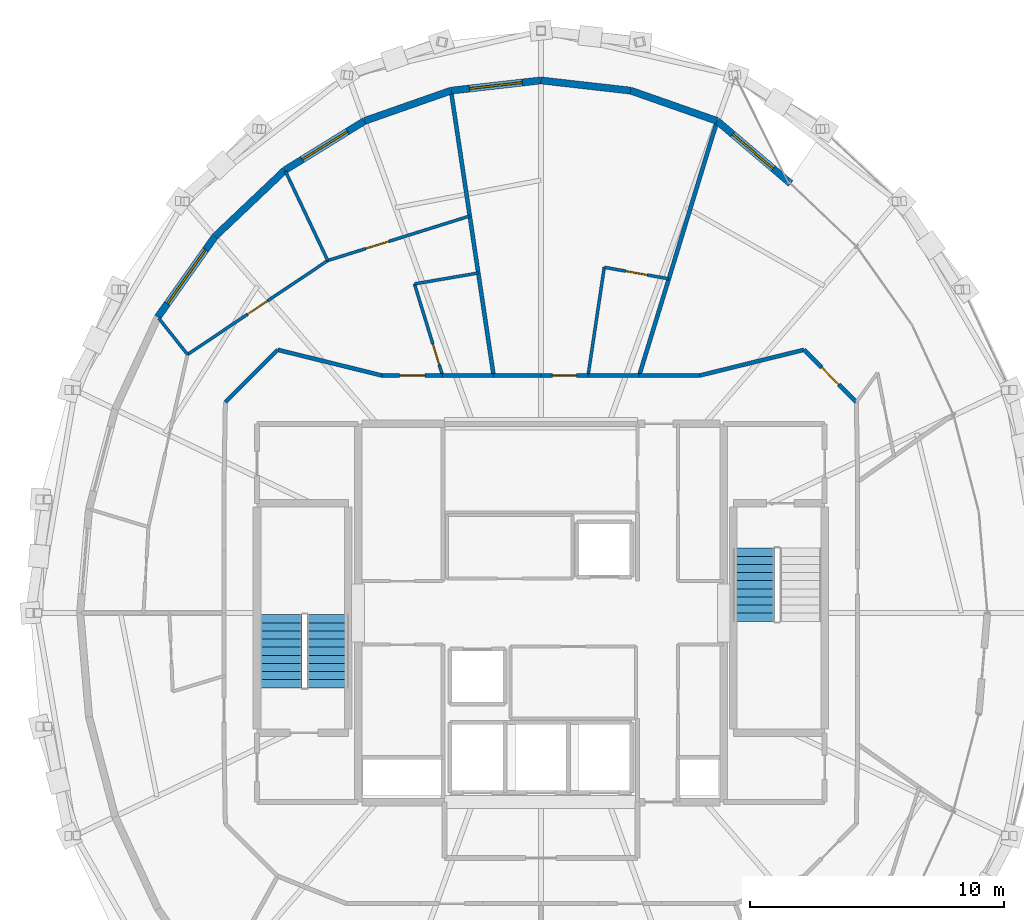
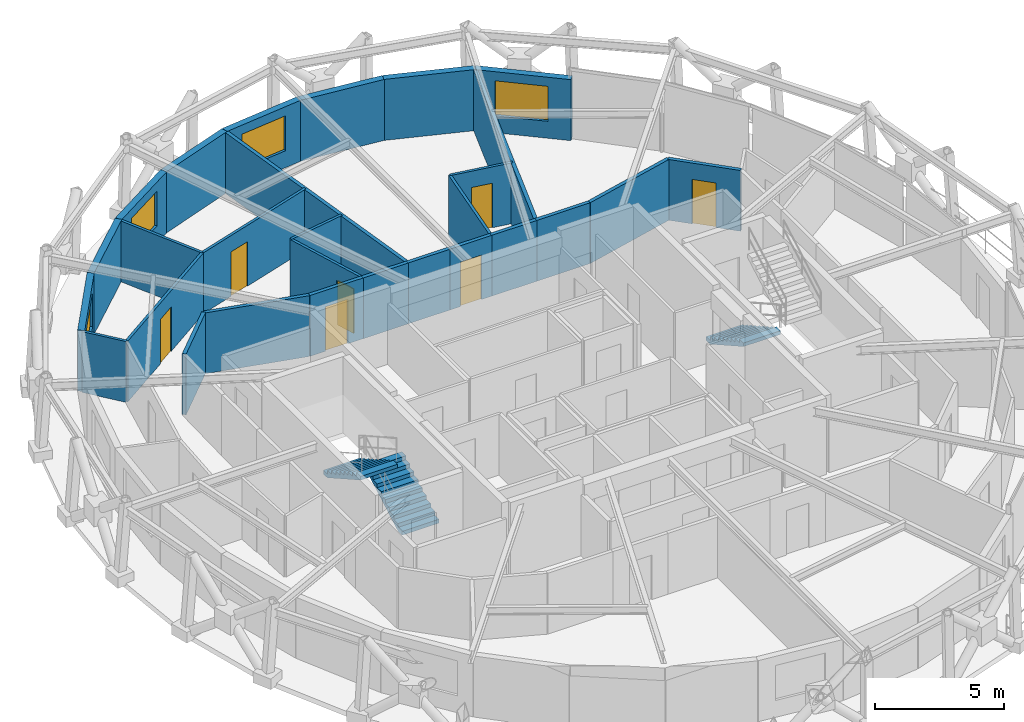
# One storey, part 15 of 17: 28 walls, 7 doors, 4 windows, 3 stair flights, 11 openings, 2 elements without a shape of their own.
"""IFC4 building model written with IfcOpenShell, lengths in metres."""

from ifc_helpers import new_model, si_unit, direction, frame, frame_2d, origin, place, context, subcontext, project, spatial, polyline, rectangle, outline, extrude, material, layer, layer_set, type_object, element, fill, aggregate, save


model = new_model("IFC4")

# Units and contexts
model_context = context("Model", 3, precision=1e-05, world=origin(), true_north=direction((0.0, 1.0)))
body_context = subcontext(model_context, "Body", "Model", "MODEL_VIEW")
ifc_project = project(units=[si_unit("LENGTHUNIT", "METRE"), si_unit("AREAUNIT", "SQUARE_METRE"), si_unit("VOLUMEUNIT", "CUBIC_METRE"), si_unit("PLANEANGLEUNIT", "RADIAN"), si_unit("MASSUNIT", "GRAM", prefix="KILO")], contexts=[model_context])

# Site, building, storey
site_placement = place(None, origin())
site = spatial("IfcSite", under=ifc_project, at=site_placement, CompositionType="ELEMENT")
building_placement = place(site_placement, origin())
building = spatial("IfcBuilding", under=site, at=building_placement, Name="Veldorina Hangang Commons", CompositionType="ELEMENT")
storey_placement = place(building_placement, frame((0.0, 0.0, 286.800048828125)))
storey = spatial("IfcBuildingStorey", under=building, at=storey_placement, Name="L75", CompositionType="ELEMENT", Elevation=286.800048828125)

# Wall, opening, window
ifc_material_1 = material(Name="Stone Roman Travertine", Category="masonry")
ifc_layer_1 = layer(ifc_material_1, 0.280029296875)
ifc_layer_set_1 = layer_set([ifc_layer_1], Name="Stone Roman Travertine")
wall_type_1 = type_object("IfcWallType", Name="EW-TRAV-280", PredefinedType="STANDARD", material=ifc_layer_set_1)
wall_1_placement = place(storey_placement, frame((41.84033203125, 40.916015625, 0.0), z_axis=(0.0, 0.0, 1.0), x_axis=(-0.7617032154, 0.64792608502, 0.0)))
wall_1 = element("IfcWall", 1, at=wall_1_placement, inside=storey, type_object=wall_type_1, Name="L75 travertine facade wall 05", PredefinedType="STANDARD", context=body_context, shape_type="SweptSolid", body=[
    extrude(rectangle(XDim=3.80224609375, YDim=0.280029296875, at=frame_2d((1.901123046875, 0.0))), origin(), (0.0, 0.0, 1.0), 2.8798828125),
])
opening_1_placement = place(wall_1_placement, frame((0.897216796875, 0.0, 0.800048828125)))
opening_1 = element("IfcOpeningElement", 2, at=opening_1_placement, cuts=wall_1, Name="Opening W-03", PredefinedType="OPENING", context=body_context, shape_type="SweptSolid", body=[
    extrude(rectangle(XDim=2.10009765625, YDim=1.64990234375, at=frame_2d((1.050048828125, 0.824951171875))), frame((0.0, 0.14990234375, 0.0), z_axis=(0.0, -1.0, 0.0), x_axis=(1.0, 0.0, 0.0)), (0.0, 0.0, 1.0), 0.300048828125),
])
ifc_material_2 = material(Name="Glass Low-E Triple IGU", Category="glass")
window_type_1 = type_object("IfcWindowType", Name="WIN-TWR-2100", PartitioningType="SINGLE_PANEL", PredefinedType="WINDOW", material=ifc_material_2)
window_1_placement = place(opening_1_placement, origin())
window_1 = element("IfcWindow", 3, at=window_1_placement, inside=storey, type_object=window_type_1, Name="L75 facade window 05", OverallHeight=1.64990234375, OverallWidth=2.10009765625, PartitioningType="SINGLE_PANEL", PredefinedType="WINDOW", context=body_context, shape_type="SweptSolid", body=[
    extrude(rectangle(XDim=2.10009765625, YDim=1.64990234375, at=frame_2d((1.050048828125, 0.824951171875))), frame((0.0, 0.030029296875, 0.0), z_axis=(0.0, -1.0, 0.0), x_axis=(1.0, 0.0, 0.0)), (0.0, 0.0, 1.0), 0.06005859375),
])
fill(opening_1, window_1)

# Walls
wall_2_placement = place(storey_placement, frame((38.944091796875, 43.379638671875, 0.0), z_axis=(0.0, 0.0, 1.0), x_axis=(-0.94366932977, 0.33089000597, 0.0)))
element("IfcWall", 4, at=wall_2_placement, inside=storey, type_object=wall_type_1, Name="L75 travertine facade wall 06", PredefinedType="STANDARD", context=body_context, shape_type="SweptSolid", body=[
    extrude(rectangle(XDim=3.607177734375, YDim=0.280029296875, at=frame_2d((1.8037109375, 0.0))), origin(), (0.0, 0.0, 1.0), 2.8798828125),
])
wall_3_placement = place(storey_placement, frame((35.5400390625, 44.5732421875, 0.0), z_axis=(0.0, 0.0, 1.0), x_axis=(-0.993580071332, 0.113131082605, 0.0)))
element("IfcWall", 5, at=wall_3_placement, inside=storey, type_object=wall_type_1, Name="L75 travertine facade wall 07", PredefinedType="STANDARD", context=body_context, shape_type="SweptSolid", body=[
    extrude(rectangle(XDim=3.56298828125, YDim=0.280029296875, at=frame_2d((1.781494140625, 0.0))), origin(), (0.0, 0.0, 1.0), 2.8798828125),
])

# Wall, opening, window
wall_4_placement = place(storey_placement, frame((32.0, 44.976318359375, 0.0), z_axis=(0.0, 0.0, 1.0), x_axis=(-0.993580071332, -0.113131082605, 0.0)))
wall_4 = element("IfcWall", 6, at=wall_4_placement, inside=storey, type_object=wall_type_1, Name="L75 travertine facade wall 08", PredefinedType="STANDARD", context=body_context, shape_type="SweptSolid", body=[
    extrude(rectangle(XDim=3.56298828125, YDim=0.280029296875, at=frame_2d((1.781494140625, 0.0))), origin(), (0.0, 0.0, 1.0), 2.8798828125),
])
opening_2_placement = place(wall_4_placement, frame((0.7314453125, 0.0, 0.800048828125)))
opening_2 = element("IfcOpeningElement", 7, at=opening_2_placement, cuts=wall_4, Name="Opening W-03", PredefinedType="OPENING", context=body_context, shape_type="SweptSolid", body=[
    extrude(rectangle(XDim=2.10009765625, YDim=1.64990234375, at=frame_2d((1.050048828125, 0.824951171875))), frame((0.0, 0.14990234375, 0.0), z_axis=(0.0, -1.0, 0.0), x_axis=(1.0, 0.0, 0.0)), (0.0, 0.0, 1.0), 0.300048828125),
])
window_2_placement = place(opening_2_placement, origin())
window_2 = element("IfcWindow", 8, at=window_2_placement, inside=storey, type_object=window_type_1, Name="L75 facade window 08", OverallHeight=1.64990234375, OverallWidth=2.10009765625, PartitioningType="SINGLE_PANEL", PredefinedType="WINDOW", context=body_context, shape_type="SweptSolid", body=[
    extrude(rectangle(XDim=2.10009765625, YDim=1.64990234375, at=frame_2d((1.050048828125, 0.824951171875))), frame((0.0, 0.030029296875, 0.0), z_axis=(0.0, -1.0, 0.0), x_axis=(1.0, 0.0, 0.0)), (0.0, 0.0, 1.0), 0.06005859375),
])
fill(opening_2, window_2)

# Wall
wall_5_placement = place(storey_placement, frame((28.4599609375, 44.5732421875, 0.0), z_axis=(0.0, 0.0, 1.0), x_axis=(-0.94366932977, -0.33089000597, 0.0)))
element("IfcWall", 9, at=wall_5_placement, inside=storey, type_object=wall_type_1, Name="L75 travertine facade wall 09", PredefinedType="STANDARD", context=body_context, shape_type="SweptSolid", body=[
    extrude(rectangle(XDim=3.607177734375, YDim=0.280029296875, at=frame_2d((1.8037109375, 0.0))), origin(), (0.0, 0.0, 1.0), 2.8798828125),
])

# Wall, opening, window
wall_6_placement = place(storey_placement, frame((25.055908203125, 43.379638671875, 0.0), z_axis=(0.0, 0.0, 1.0), x_axis=(-0.850702223814, -0.525647911057, 0.0)))
wall_6 = element("IfcWall", 10, at=wall_6_placement, inside=storey, type_object=wall_type_1, Name="L75 travertine facade wall 10", PredefinedType="STANDARD", context=body_context, shape_type="SweptSolid", body=[
    extrude(rectangle(XDim=3.687744140625, YDim=0.280029296875, at=frame_2d((1.84375, 0.0))), origin(), (0.0, 0.0, 1.0), 2.8798828125),
])
opening_3_placement = place(wall_6_placement, frame((0.7939453125, 0.0, 0.800048828125)))
opening_3 = element("IfcOpeningElement", 11, at=opening_3_placement, cuts=wall_6, Name="Opening W-03", PredefinedType="OPENING", context=body_context, shape_type="SweptSolid", body=[
    extrude(rectangle(XDim=2.10009765625, YDim=1.64990234375, at=frame_2d((1.050048828125, 0.824951171875))), frame((0.0, 0.14990234375, 0.0), z_axis=(0.0, -1.0, 0.0), x_axis=(1.0, 0.0, 0.0)), (0.0, 0.0, 1.0), 0.300048828125),
])
window_3_placement = place(opening_3_placement, origin())
window_3 = element("IfcWindow", 12, at=window_3_placement, inside=storey, type_object=window_type_1, Name="L75 facade window 10", OverallHeight=1.64990234375, OverallWidth=2.10009765625, PartitioningType="SINGLE_PANEL", PredefinedType="WINDOW", context=body_context, shape_type="SweptSolid", body=[
    extrude(rectangle(XDim=2.10009765625, YDim=1.64990234375, at=frame_2d((1.050048828125, 0.824951171875))), frame((0.0, 0.030029296875, 0.0), z_axis=(0.0, -1.0, 0.0), x_axis=(1.0, 0.0, 0.0)), (0.0, 0.0, 1.0), 0.06005859375),
])
fill(opening_3, window_3)

# Wall
wall_7_placement = place(storey_placement, frame((21.918701171875, 41.441162109375, 0.0), z_axis=(0.0, 0.0, 1.0), x_axis=(-0.725476892889, -0.688246524063, 0.0)))
element("IfcWall", 13, at=wall_7_placement, inside=storey, type_object=wall_type_1, Name="L75 travertine facade wall 11", PredefinedType="STANDARD", context=body_context, shape_type="SweptSolid", body=[
    extrude(rectangle(XDim=3.790283203125, YDim=0.280029296875, at=frame_2d((1.89501953125, 0.0))), origin(), (0.0, 0.0, 1.0), 2.8798828125),
])

# Wall, opening, window
wall_8_placement = place(storey_placement, frame((19.1689453125, 38.83251953125, 0.0), z_axis=(0.0, 0.0, 1.0), x_axis=(-0.578913591695, -0.815388897, 0.0)))
wall_8 = element("IfcWall", 14, at=wall_8_placement, inside=storey, type_object=wall_type_1, Name="L75 travertine facade wall 12", PredefinedType="STANDARD", context=body_context, shape_type="SweptSolid", body=[
    extrude(rectangle(XDim=3.8984375, YDim=0.280029296875, at=frame_2d((1.94921875, 0.0))), origin(), (0.0, 0.0, 1.0), 2.8798828125),
])
opening_4_placement = place(wall_8_placement, frame((0.649169921875, 0.0, 0.800048828125)))
opening_4 = element("IfcOpeningElement", 15, at=opening_4_placement, cuts=wall_8, Name="Opening W-02", PredefinedType="OPENING", context=body_context, shape_type="SweptSolid", body=[
    extrude(rectangle(XDim=2.60009765625, YDim=1.64990234375, at=frame_2d((1.300048828125, 0.824951171875))), frame((0.0, 0.14990234375, 0.0), z_axis=(0.0, -1.0, 0.0), x_axis=(1.0, 0.0, 0.0)), (0.0, 0.0, 1.0), 0.300048828125),
])
window_type_2 = type_object("IfcWindowType", Name="WIN-TWR-2600", PartitioningType="SINGLE_PANEL", PredefinedType="WINDOW", material=ifc_material_2)
window_4_placement = place(opening_4_placement, origin())
window_4 = element("IfcWindow", 16, at=window_4_placement, inside=storey, type_object=window_type_2, Name="L75 facade window 12", OverallHeight=1.64990234375, OverallWidth=2.60009765625, PartitioningType="SINGLE_PANEL", PredefinedType="WINDOW", context=body_context, shape_type="SweptSolid", body=[
    extrude(rectangle(XDim=2.60009765625, YDim=1.64990234375, at=frame_2d((1.300048828125, 0.824951171875))), frame((0.0, 0.030029296875, 0.0), z_axis=(0.0, -1.0, 0.0), x_axis=(1.0, 0.0, 0.0)), (0.0, 0.0, 1.0), 0.06005859375),
])
fill(opening_4, window_4)

# Wall, opening, door
ifc_material_3 = material(Name="Gypsum Fire-Rated Twin Stud Wall", Category="gypsum")
ifc_layer_2 = layer(ifc_material_3, 0.159912109375)
ifc_layer_set_2 = layer_set([ifc_layer_2], Name="Gypsum Fire-Rated Twin Stud Wall")
wall_type_2 = type_object("IfcWallType", Name="WL-FIRE-160", PredefinedType="SOLIDWALL", material=ifc_layer_set_2)
wall_9_placement = place(storey_placement, frame((44.4267578125, 32.30322265625, 0.0), z_axis=(0.0, 0.0, 1.0), x_axis=(-0.707106781187, 0.707106781187, 0.0)))
wall_9 = element("IfcWall", 17, at=wall_9_placement, inside=storey, type_object=wall_type_2, Name="L75 Compact collar outer wall 03 053", PredefinedType="SOLIDWALL", context=body_context, shape_type="SweptSolid", body=[
    extrude(rectangle(XDim=2.915771484375, YDim=0.159912109375, at=frame_2d((1.4580078125, 0.0))), origin(), (0.0, 0.0, 1.0), 2.869873046875),
])
opening_5_placement = place(wall_9_placement, frame((0.98291015625, 0.0, 0.0)))
opening_5 = element("IfcOpeningElement", 18, at=opening_5_placement, cuts=wall_9, Name="Opening D-03", PredefinedType="OPENING", context=body_context, shape_type="SweptSolid", body=[
    extrude(rectangle(XDim=0.949951171875, YDim=2.10009765625, at=frame_2d((0.47509765625, 1.050048828125))), frame((0.0, 0.08984375, 0.0), z_axis=(0.0, -1.0, 0.0), x_axis=(1.0, 0.0, 0.0)), (0.0, 0.0, 1.0), 0.179931640625),
])
ifc_material_4 = material(Name="Timber Fire-Rated Entrance Core", Category="wood")
door_type_1 = type_object("IfcDoorType", Name="DR-UNIT-950", OperationType="SINGLE_SWING_RIGHT", PredefinedType="DOOR", material=ifc_material_4)
door_1_placement = place(opening_5_placement, origin())
door_1 = element("IfcDoor", 19, at=door_1_placement, inside=storey, type_object=door_type_1, Name="L75 Studio 2 entrance door 020", OperationType="SINGLE_SWING_RIGHT", OverallHeight=2.10009765625, OverallWidth=0.949951171875, PredefinedType="DOOR", context=body_context, shape_type="SweptSolid", body=[
    extrude(rectangle(XDim=0.949951171875, YDim=2.10009765625, at=frame_2d((0.47509765625, 1.050048828125))), frame((0.0, 0.02490234375, 0.0), z_axis=(0.0, -1.0, 0.0), x_axis=(1.0, 0.0, 0.0)), (0.0, 0.0, 1.0), 0.050048828125),
])
fill(opening_5, door_1)

# Walls
wall_10_placement = place(storey_placement, frame((42.364990234375, 34.364990234375, 0.0), z_axis=(0.0, 0.0, 1.0), x_axis=(-0.970939799552, -0.239323850978, 0.0)))
element("IfcWall", 20, at=wall_10_placement, inside=storey, type_object=wall_type_2, Name="L75 Compact collar outer wall 04 054", PredefinedType="SOLIDWALL", context=body_context, shape_type="SweptSolid", body=[
    extrude(rectangle(XDim=4.24072265625, YDim=0.159912109375, at=frame_2d((2.120361328125, 0.0))), origin(), (0.0, 0.0, 1.0), 2.869873046875),
])
wall_11_placement = place(storey_placement, frame((38.24755859375, 33.35009765625, 0.0), z_axis=(0.0, 0.0, 1.0), x_axis=(-1.0, 0.0, 0.0)))
element("IfcWall", 21, at=wall_11_placement, inside=storey, type_object=wall_type_2, Name="L75 Compact collar outer wall 05 055", PredefinedType="SOLIDWALL", context=body_context, shape_type="SweptSolid", body=[
    extrude(rectangle(XDim=2.374755859375, YDim=0.159912109375, at=frame_2d((1.1875, 0.0))), origin(), (0.0, 0.0, 1.0), 2.869873046875),
])
wall_12_placement = place(storey_placement, frame((35.872802734375, 33.35009765625, 0.0), z_axis=(0.0, 0.0, 1.0), x_axis=(-1.0, 0.0, 0.0)))
element("IfcWall", 22, at=wall_12_placement, inside=storey, type_object=wall_type_2, Name="L75 Compact collar outer wall 06 056", PredefinedType="SOLIDWALL", context=body_context, shape_type="SweptSolid", body=[
    extrude(rectangle(XDim=2.012939453125, YDim=0.159912109375, at=frame_2d((1.00634765625, 0.0))), origin(), (0.0, 0.0, 1.0), 2.869873046875),
])

# Wall, opening, door
wall_13_placement = place(storey_placement, frame((33.85986328125, 33.35009765625, 0.0), z_axis=(0.0, 0.0, 1.0), x_axis=(-1.0, 0.0, 0.0)))
wall_13 = element("IfcWall", 23, at=wall_13_placement, inside=storey, type_object=wall_type_2, Name="L75 Compact collar outer wall 07 057", PredefinedType="SOLIDWALL", context=body_context, shape_type="SweptSolid", body=[
    extrude(rectangle(XDim=1.85986328125, YDim=0.159912109375, at=frame_2d((0.929931640625, 0.0))), origin(), (0.0, 0.0, 1.0), 2.869873046875),
])
opening_6_placement = place(wall_13_placement, frame((0.454833984375, 0.0, 0.0)))
opening_6 = element("IfcOpeningElement", 24, at=opening_6_placement, cuts=wall_13, Name="Opening D-03", PredefinedType="OPENING", context=body_context, shape_type="SweptSolid", body=[
    extrude(rectangle(XDim=0.949951171875, YDim=2.10009765625, at=frame_2d((0.47509765625, 1.050048828125))), frame((0.0, 0.08984375, 0.0), z_axis=(0.0, -1.0, 0.0), x_axis=(1.0, 0.0, 0.0)), (0.0, 0.0, 1.0), 0.179931640625),
])
door_2_placement = place(opening_6_placement, origin())
door_2 = element("IfcDoor", 25, at=door_2_placement, inside=storey, type_object=door_type_1, Name="L75 Studio 3 entrance door 022", OperationType="SINGLE_SWING_RIGHT", OverallHeight=2.10009765625, OverallWidth=0.949951171875, PredefinedType="DOOR", context=body_context, shape_type="SweptSolid", body=[
    extrude(rectangle(XDim=0.949951171875, YDim=2.10009765625, at=frame_2d((0.47509765625, 1.050048828125))), frame((0.0, 0.02490234375, 0.0), z_axis=(0.0, -1.0, 0.0), x_axis=(1.0, 0.0, 0.0)), (0.0, 0.0, 1.0), 0.050048828125),
])
fill(opening_6, door_2)

# Walls
wall_14_placement = place(storey_placement, frame((32.0, 33.35009765625, 0.0), z_axis=(0.0, 0.0, 1.0), x_axis=(-1.0, 0.0, 0.0)))
element("IfcWall", 26, at=wall_14_placement, inside=storey, type_object=wall_type_2, Name="L75 Compact collar outer wall 08 058", PredefinedType="SOLIDWALL", context=body_context, shape_type="SweptSolid", body=[
    extrude(rectangle(XDim=1.85986328125, YDim=0.159912109375, at=frame_2d((0.929931640625, 0.0))), origin(), (0.0, 0.0, 1.0), 2.869873046875),
])
wall_15_placement = place(storey_placement, frame((30.14013671875, 33.35009765625, 0.0), z_axis=(0.0, 0.0, 1.0), x_axis=(-1.0, 0.0, 0.0)))
element("IfcWall", 27, at=wall_15_placement, inside=storey, type_object=wall_type_2, Name="L75 Compact collar outer wall 09 059", PredefinedType="SOLIDWALL", context=body_context, shape_type="SweptSolid", body=[
    extrude(rectangle(XDim=2.012939453125, YDim=0.159912109375, at=frame_2d((1.00634765625, 0.0))), origin(), (0.0, 0.0, 1.0), 2.869873046875),
])

# Wall, opening, door
wall_16_placement = place(storey_placement, frame((28.127197265625, 33.35009765625, 0.0), z_axis=(0.0, 0.0, 1.0), x_axis=(-1.0, 0.0, 0.0)))
wall_16 = element("IfcWall", 28, at=wall_16_placement, inside=storey, type_object=wall_type_2, Name="L75 Compact collar outer wall 10 060", PredefinedType="SOLIDWALL", context=body_context, shape_type="SweptSolid", body=[
    extrude(rectangle(XDim=2.374755859375, YDim=0.159912109375, at=frame_2d((1.1875, 0.0))), origin(), (0.0, 0.0, 1.0), 2.869873046875),
])
opening_7_placement = place(wall_16_placement, frame((0.687255859375, 0.0, 0.0)))
opening_7 = element("IfcOpeningElement", 29, at=opening_7_placement, cuts=wall_16, Name="Opening D-06", PredefinedType="OPENING", context=body_context, shape_type="SweptSolid", body=[
    extrude(rectangle(XDim=1.0, YDim=2.10009765625, at=frame_2d((0.5, 1.050048828125))), frame((0.0, 0.08984375, 0.0), z_axis=(0.0, -1.0, 0.0), x_axis=(1.0, 0.0, 0.0)), (0.0, 0.0, 1.0), 0.179931640625),
])
door_type_2 = type_object("IfcDoorType", Name="DR-UNIT-1000", OperationType="SINGLE_SWING_LEFT", PredefinedType="DOOR", material=ifc_material_4)
door_3_placement = place(opening_7_placement, origin())
door_3 = element("IfcDoor", 30, at=door_3_placement, inside=storey, type_object=door_type_2, Name="L75 Cluster 4 entrance door 024", OperationType="SINGLE_SWING_RIGHT", OverallHeight=2.10009765625, OverallWidth=1.0, PredefinedType="DOOR", context=body_context, shape_type="SweptSolid", body=[
    extrude(rectangle(XDim=1.0, YDim=2.10009765625, at=frame_2d((0.5, 1.050048828125))), frame((0.0, 0.02490234375, 0.0), z_axis=(0.0, -1.0, 0.0), x_axis=(1.0, 0.0, 0.0)), (0.0, 0.0, 1.0), 0.050048828125),
])
fill(opening_7, door_3)

# Walls
wall_17_placement = place(storey_placement, frame((25.75244140625, 33.35009765625, 0.0), z_axis=(0.0, 0.0, 1.0), x_axis=(-0.970939799552, 0.239323850978, 0.0)))
element("IfcWall", 31, at=wall_17_placement, inside=storey, type_object=wall_type_2, Name="L75 Compact collar outer wall 11 061", PredefinedType="SOLIDWALL", context=body_context, shape_type="SweptSolid", body=[
    extrude(rectangle(XDim=4.24072265625, YDim=0.159912109375, at=frame_2d((2.120361328125, 0.0))), origin(), (0.0, 0.0, 1.0), 2.869873046875),
])
wall_18_placement = place(storey_placement, frame((21.635009765625, 34.364990234375, 0.0), z_axis=(0.0, 0.0, 1.0), x_axis=(-0.707106781187, -0.707106781187, 0.0)))
element("IfcWall", 32, at=wall_18_placement, inside=storey, type_object=wall_type_2, Name="L75 Compact collar outer wall 12 062", PredefinedType="SOLIDWALL", context=body_context, shape_type="SweptSolid", body=[
    extrude(rectangle(XDim=2.915771484375, YDim=0.159912109375, at=frame_2d((1.4580078125, 0.0))), origin(), (0.0, 0.0, 1.0), 2.869873046875),
])
wall_19_placement = place(storey_placement, frame((35.872802734375, 33.35009765625, 0.0), z_axis=(0.0, 0.0, 1.0), x_axis=(0.292803730525, 0.956172565696, 0.0)))
element("IfcWall", 33, at=wall_19_placement, inside=storey, type_object=wall_type_2, Name="L75 Unit party wall 06 086", PredefinedType="SOLIDWALL", context=body_context, shape_type="SweptSolid", body=[
    extrude(rectangle(XDim=10.439208984375, YDim=0.159912109375, at=frame_2d((5.2197265625, 0.0))), origin(), (0.0, 0.0, 1.0), 2.869873046875),
])
wall_20_placement = place(storey_placement, frame((30.14013671875, 33.35009765625, 0.0), z_axis=(0.0, 0.0, 1.0), x_axis=(-0.148061491239, 0.988978156893, 0.0)))
element("IfcWall", 34, at=wall_20_placement, inside=storey, type_object=wall_type_2, Name="L75 Unit party wall 09 089", PredefinedType="SOLIDWALL", context=body_context, shape_type="SweptSolid", body=[
    extrude(rectangle(XDim=11.29833984375, YDim=0.159912109375, at=frame_2d((5.649169921875, 0.0))), origin(), (0.0, 0.0, 1.0), 2.869873046875),
])

# Wall, opening, door
ifc_material_5 = material(Name="Gypsum Acoustic Stud Partition", Category="gypsum")
ifc_layer_3 = layer(ifc_material_5, 0.1201171875)
ifc_layer_set_3 = layer_set([ifc_layer_3], Name="Gypsum Acoustic Stud Partition")
wall_type_3 = type_object("IfcWallType", Name="WL-PART-120", PredefinedType="PARTITIONING", material=ifc_layer_set_3)
wall_21_placement = place(storey_placement, frame((37.0400390625, 37.161376953125, 0.0), z_axis=(0.0, 0.0, 1.0), x_axis=(-0.984445687122, 0.175689183236, 0.0)))
wall_21 = element("IfcWall", 35, at=wall_21_placement, inside=storey, type_object=wall_type_3, Name="L75 Studio 3 bath front wall 087", PredefinedType="PARTITIONING", context=body_context, shape_type="SweptSolid", body=[
    extrude(rectangle(XDim=2.581787109375, YDim=0.1201171875, at=frame_2d((1.291015625, 0.0))), origin(), (0.0, 0.0, 1.0), 2.869873046875),
])
opening_8_placement = place(wall_21_placement, frame((0.861083984375, 0.0, 0.0)))
opening_8 = element("IfcOpeningElement", 36, at=opening_8_placement, cuts=wall_21, Name="Opening D-01", PredefinedType="OPENING", context=body_context, shape_type="SweptSolid", body=[
    extrude(rectangle(XDim=0.860107421875, YDim=2.10009765625, at=frame_2d((0.43017578125, 1.050048828125))), frame((0.0, 0.070068359375, 0.0), z_axis=(0.0, -1.0, 0.0), x_axis=(1.0, 0.0, 0.0)), (0.0, 0.0, 1.0), 0.14013671875),
])
ifc_material_6 = material(Name="Timber Moisture-Resistant Core", Category="wood")
door_type_3 = type_object("IfcDoorType", Name="DR-WET-860", OperationType="SINGLE_SWING_LEFT", PredefinedType="DOOR", material=ifc_material_6)
door_4_placement = place(opening_8_placement, origin())
door_4 = element("IfcDoor", 37, at=door_4_placement, inside=storey, type_object=door_type_3, Name="L75 Studio 3 bathroom door 021", OperationType="SINGLE_SWING_LEFT", OverallHeight=2.10009765625, OverallWidth=0.860107421875, PredefinedType="DOOR", context=body_context, shape_type="SweptSolid", body=[
    extrude(rectangle(XDim=0.860107421875, YDim=2.10009765625, at=frame_2d((0.43017578125, 1.050048828125))), frame((0.0, 0.02490234375, 0.0), z_axis=(0.0, -1.0, 0.0), x_axis=(1.0, 0.0, 0.0)), (0.0, 0.0, 1.0), 0.050048828125),
])
fill(opening_8, door_4)

# Walls
wall_22_placement = place(storey_placement, frame((33.85986328125, 33.35009765625, 0.0), z_axis=(0.0, 0.0, 1.0), x_axis=(0.148044229088, 0.988980741083, 0.0)))
element("IfcWall", 38, at=wall_22_placement, inside=storey, type_object=wall_type_3, Name="L75 Studio 3 bath side wall 088", PredefinedType="PARTITIONING", context=body_context, shape_type="SweptSolid", body=[
    extrude(rectangle(XDim=4.3125, YDim=0.1201171875, at=frame_2d((2.15625, 0.0))), origin(), (0.0, 0.0, 1.0), 2.869873046875),
])
wall_23_placement = place(storey_placement, frame((29.535400390625, 37.390380859375, 0.0), z_axis=(0.0, 0.0, 1.0), x_axis=(-0.985705034141, -0.168480223375, 0.0)))
element("IfcWall", 39, at=wall_23_placement, inside=storey, type_object=wall_type_3, Name="L75 Cluster 4 bath front wall 090", PredefinedType="PARTITIONING", context=body_context, shape_type="SweptSolid", body=[
    extrude(rectangle(XDim=2.55029296875, YDim=0.1201171875, at=frame_2d((1.275146484375, 0.0))), origin(), (0.0, 0.0, 1.0), 2.869873046875),
])

# Wall, opening, door
wall_24_placement = place(storey_placement, frame((28.127197265625, 33.35009765625, 0.0), z_axis=(0.0, 0.0, 1.0), x_axis=(-0.292818022088, 0.956168189149, 0.0)))
wall_24 = element("IfcWall", 40, at=wall_24_placement, inside=storey, type_object=wall_type_3, Name="L75 Cluster 4 bath side wall 091", PredefinedType="PARTITIONING", context=body_context, shape_type="SweptSolid", body=[
    extrude(rectangle(XDim=3.776123046875, YDim=0.1201171875, at=frame_2d((1.88818359375, 0.0))), origin(), (0.0, 0.0, 1.0), 2.869873046875),
])
opening_9_placement = place(wall_24_placement, frame((0.43994140625, 0.0, 0.0)))
opening_9 = element("IfcOpeningElement", 41, at=opening_9_placement, cuts=wall_24, Name="Opening D-01", PredefinedType="OPENING", context=body_context, shape_type="SweptSolid", body=[
    extrude(rectangle(XDim=0.860107421875, YDim=2.10009765625, at=frame_2d((0.43017578125, 1.050048828125))), frame((0.0, 0.070068359375, 0.0), z_axis=(0.0, -1.0, 0.0), x_axis=(1.0, 0.0, 0.0)), (0.0, 0.0, 1.0), 0.14013671875),
])
door_5_placement = place(opening_9_placement, origin())
door_5 = element("IfcDoor", 42, at=door_5_placement, inside=storey, type_object=door_type_3, Name="L75 Cluster 4 shared bathroom door 023", OperationType="SINGLE_SWING_LEFT", OverallHeight=2.10009765625, OverallWidth=0.860107421875, PredefinedType="DOOR", context=body_context, shape_type="SweptSolid", body=[
    extrude(rectangle(XDim=0.860107421875, YDim=2.10009765625, at=frame_2d((0.43017578125, 1.050048828125))), frame((0.0, 0.02490234375, 0.0), z_axis=(0.0, -1.0, 0.0), x_axis=(1.0, 0.0, 0.0)), (0.0, 0.0, 1.0), 0.050048828125),
])
fill(opening_9, door_5)

wall_25_placement = place(storey_placement, frame((29.19921875, 39.635009765625, 0.0), z_axis=(0.0, 0.0, 1.0), x_axis=(-0.954191258794, -0.299197328933, 0.0)))
wall_25 = element("IfcWall", 43, at=wall_25_placement, inside=storey, type_object=wall_type_3, Name="L75 Cluster 4 bed 1 front wall 092", PredefinedType="PARTITIONING", context=body_context, shape_type="SweptSolid", body=[
    extrude(rectangle(XDim=5.862060546875, YDim=0.1201171875, at=frame_2d((2.93115234375, 0.0))), origin(), (0.0, 0.0, 1.0), 2.869873046875),
])
opening_10_placement = place(wall_25_placement, frame((3.343017578125, 0.0, 0.0)))
opening_10 = element("IfcOpeningElement", 44, at=opening_10_placement, cuts=wall_25, Name="Opening D-02", PredefinedType="OPENING", context=body_context, shape_type="SweptSolid", body=[
    extrude(rectangle(XDim=0.949951171875, YDim=2.10009765625, at=frame_2d((0.47509765625, 1.050048828125))), frame((0.0, 0.070068359375, 0.0), z_axis=(0.0, -1.0, 0.0), x_axis=(1.0, 0.0, 0.0)), (0.0, 0.0, 1.0), 0.14013671875),
])
ifc_material_7 = material(Name="Timber Solid Core Acoustic", Category="wood")
door_type_4 = type_object("IfcDoorType", Name="DR-INT-950", OperationType="SINGLE_SWING_LEFT", PredefinedType="DOOR", material=ifc_material_7)
door_6_placement = place(opening_10_placement, origin())
door_6 = element("IfcDoor", 45, at=door_6_placement, inside=storey, type_object=door_type_4, Name="L75 Cluster 4 bed 1 door 025", OperationType="SINGLE_SWING_LEFT", OverallHeight=2.10009765625, OverallWidth=0.949951171875, PredefinedType="DOOR", context=body_context, shape_type="SweptSolid", body=[
    extrude(rectangle(XDim=0.949951171875, YDim=2.10009765625, at=frame_2d((0.47509765625, 1.050048828125))), frame((0.0, 0.02490234375, 0.0), z_axis=(0.0, -1.0, 0.0), x_axis=(1.0, 0.0, 0.0)), (0.0, 0.0, 1.0), 0.050048828125),
])
fill(opening_10, door_6)

wall_26_placement = place(storey_placement, frame((23.605712890625, 37.881103515625, 0.0), z_axis=(0.0, 0.0, 1.0), x_axis=(-0.830686252562, -0.556740828217, 0.0)))
wall_26 = element("IfcWall", 46, at=wall_26_placement, inside=storey, type_object=wall_type_3, Name="L75 Cluster 4 bed 2 front wall 093", PredefinedType="PARTITIONING", context=body_context, shape_type="SweptSolid", body=[
    extrude(rectangle(XDim=6.6484375, YDim=0.1201171875, at=frame_2d((3.32421875, 0.0))), origin(), (0.0, 0.0, 1.0), 2.869873046875),
])
opening_11_placement = place(wall_26_placement, frame((2.84912109375, 0.0, 0.0)))
opening_11 = element("IfcOpeningElement", 47, at=opening_11_placement, cuts=wall_26, Name="Opening D-02", PredefinedType="OPENING", context=body_context, shape_type="SweptSolid", body=[
    extrude(rectangle(XDim=0.949951171875, YDim=2.10009765625, at=frame_2d((0.47509765625, 1.050048828125))), frame((0.0, 0.070068359375, 0.0), z_axis=(0.0, -1.0, 0.0), x_axis=(1.0, 0.0, 0.0)), (0.0, 0.0, 1.0), 0.14013671875),
])
door_7_placement = place(opening_11_placement, origin())
door_7 = element("IfcDoor", 48, at=door_7_placement, inside=storey, type_object=door_type_4, Name="L75 Cluster 4 bed 2 door 026", OperationType="SINGLE_SWING_RIGHT", OverallHeight=2.10009765625, OverallWidth=0.949951171875, PredefinedType="DOOR", context=body_context, shape_type="SweptSolid", body=[
    extrude(rectangle(XDim=0.949951171875, YDim=2.10009765625, at=frame_2d((0.47509765625, 1.050048828125))), frame((0.0, 0.02490234375, 0.0), z_axis=(0.0, -1.0, 0.0), x_axis=(1.0, 0.0, 0.0)), (0.0, 0.0, 1.0), 0.050048828125),
])
fill(opening_11, door_7)

# Walls
wall_27_placement = place(storey_placement, frame((23.605712890625, 37.881103515625, 0.0), z_axis=(0.0, 0.0, 1.0), x_axis=(-0.428207759879, 0.903680316472, 0.0)))
element("IfcWall", 49, at=wall_27_placement, inside=storey, type_object=wall_type_3, Name="L75 Cluster 4 bed divider 1 094", PredefinedType="PARTITIONING", context=body_context, shape_type="SweptSolid", body=[
    extrude(rectangle(XDim=3.8896484375, YDim=0.1201171875, at=frame_2d((1.94482421875, 0.0))), origin(), (0.0, 0.0, 1.0), 2.869873046875),
])
wall_28_placement = place(storey_placement, frame((18.0830078125, 34.1796875, 0.0), z_axis=(0.0, 0.0, 1.0), x_axis=(-0.621896561533, 0.783099397748, 0.0)))
element("IfcWall", 50, at=wall_28_placement, inside=storey, type_object=wall_type_3, Name="L75 Cluster 4 bed divider 2 096", PredefinedType="PARTITIONING", context=body_context, shape_type="SweptSolid", body=[
    extrude(rectangle(XDim=1.83251953125, YDim=0.1201171875, at=frame_2d((0.916259765625, 0.0))), origin(), (0.0, 0.0, 1.0), 2.869873046875),
])

# Stair, stair flights
ifc_material_8 = material(Name="Concrete C40/50", Category="concrete")
stair_type = type_object("IfcStairType", Name="STR-DOG-1650-20R", PredefinedType="HALF_TURN_STAIR", material=ifc_material_8)
stair_1_placement = place(storey_placement, origin())
stair_1 = element("IfcStair", 51, at=stair_1_placement, inside=storey, type_object=stair_type, Name="L75 Exit stair ST-1", PredefinedType="HALF_TURN_STAIR")
stair_flight_type = type_object("IfcStairFlightType", Name="SFL-STR-1650-20R", PredefinedType="STRAIGHT", material=ifc_material_8)
stair_flight_1_placement = place(storey_placement, frame((23.625, 21.050048828125, 0.0), z_axis=(0.0, 0.0, 1.0), x_axis=(0.0, 1.0, 0.0)))
stair_flight_1 = element("IfcStairFlight", 52, at=stair_flight_1_placement, type_object=stair_flight_type, Name="ST-1 flight 1", NumberOfRisers=10, NumberOfTreads=9, PredefinedType="STRAIGHT", RiserHeight=0.18, TreadLength=0.32, context=body_context, shape_type="SweptSolid", body=[
    extrude(outline(polyline([(0.0, 0.0), (0.0, 0.179931640625), (0.320068359375, 0.179931640625), (0.320068359375, 0.360107421875), (0.639892578125, 0.360107421875), (0.639892578125, 0.5400390625), (0.9599609375, 0.5400390625), (0.9599609375, 0.719970703125), (1.280029296875, 0.719970703125), (1.280029296875, 0.89990234375), (1.60009765625, 0.89990234375), (1.60009765625, 1.080078125), (1.919921875, 1.080078125), (1.919921875, 1.260009765625), (2.239990234375, 1.260009765625), (2.239990234375, 1.43994140625), (2.56005859375, 1.43994140625), (2.56005859375, 1.6201171875), (2.8798828125, 1.6201171875), (2.8798828125, 1.800048828125), (2.8798828125, 1.447998046875), (0.3056640625, 0.0), (0.0, 0.0)])), frame((0.0, 0.824951171875, 0.0), z_axis=(0.0, -1.0, 0.0), x_axis=(1.0, 0.0, 0.0)), (0.0, 0.0, 1.0), 1.64990234375),
])
stair_flight_2_placement = place(storey_placement, frame((21.77490234375, 23.929931640625, 1.800048828125), z_axis=(0.0, 0.0, 1.0), x_axis=(0.0, -1.0, 0.0)))
stair_flight_2 = element("IfcStairFlight", 53, at=stair_flight_2_placement, type_object=stair_flight_type, Name="ST-1 flight 2", NumberOfRisers=10, NumberOfTreads=9, PredefinedType="STRAIGHT", RiserHeight=0.18, TreadLength=0.32, context=body_context, shape_type="SweptSolid", body=[
    extrude(outline(polyline([(0.0, 0.0), (0.0, 0.179931640625), (0.320068359375, 0.179931640625), (0.320068359375, 0.360107421875), (0.639892578125, 0.360107421875), (0.639892578125, 0.5400390625), (0.9599609375, 0.5400390625), (0.9599609375, 0.719970703125), (1.280029296875, 0.719970703125), (1.280029296875, 0.89990234375), (1.60009765625, 0.89990234375), (1.60009765625, 1.080078125), (1.919921875, 1.080078125), (1.919921875, 1.260009765625), (2.239990234375, 1.260009765625), (2.239990234375, 1.43994140625), (2.56005859375, 1.43994140625), (2.56005859375, 1.6201171875), (2.8798828125, 1.6201171875), (2.8798828125, 1.800048828125), (2.8798828125, 1.447998046875), (0.3056640625, 0.0), (0.0, 0.0)])), frame((0.0, 0.824951171875, 0.0), z_axis=(0.0, -1.0, 0.0), x_axis=(1.0, 0.0, 0.0)), (0.0, 0.0, 1.0), 1.64990234375),
])
aggregate(stair_1, [stair_flight_1, stair_flight_2])

# Stair, stair flight
stair_2_placement = place(storey_placement, origin())
stair_2 = element("IfcStair", 54, at=stair_2_placement, inside=storey, type_object=stair_type, Name="L75 Exit stair ST-2", PredefinedType="HALF_TURN_STAIR")
stair_flight_3_placement = place(storey_placement, frame((40.375, 26.550048828125, 0.0), z_axis=(0.0, 0.0, 1.0), x_axis=(0.0, -1.0, 0.0)))
stair_flight_3 = element("IfcStairFlight", 55, at=stair_flight_3_placement, type_object=stair_flight_type, Name="ST-2 flight 1", NumberOfRisers=10, NumberOfTreads=9, PredefinedType="STRAIGHT", RiserHeight=0.18, TreadLength=0.32, context=body_context, shape_type="SweptSolid", body=[
    extrude(outline(polyline([(0.0, 0.0), (0.0, 0.179931640625), (0.320068359375, 0.179931640625), (0.320068359375, 0.360107421875), (0.639892578125, 0.360107421875), (0.639892578125, 0.5400390625), (0.9599609375, 0.5400390625), (0.9599609375, 0.719970703125), (1.280029296875, 0.719970703125), (1.280029296875, 0.89990234375), (1.60009765625, 0.89990234375), (1.60009765625, 1.080078125), (1.919921875, 1.080078125), (1.919921875, 1.260009765625), (2.239990234375, 1.260009765625), (2.239990234375, 1.43994140625), (2.56005859375, 1.43994140625), (2.56005859375, 1.6201171875), (2.8798828125, 1.6201171875), (2.8798828125, 1.800048828125), (2.8798828125, 1.447998046875), (0.3056640625, 0.0), (0.0, 0.0)])), frame((0.0, 0.824951171875, 0.0), z_axis=(0.0, -1.0, 0.0), x_axis=(1.0, 0.0, 0.0)), (0.0, 0.0, 1.0), 1.64990234375),
])
aggregate(stair_2, [stair_flight_3])

save(model, "model.ifc")
